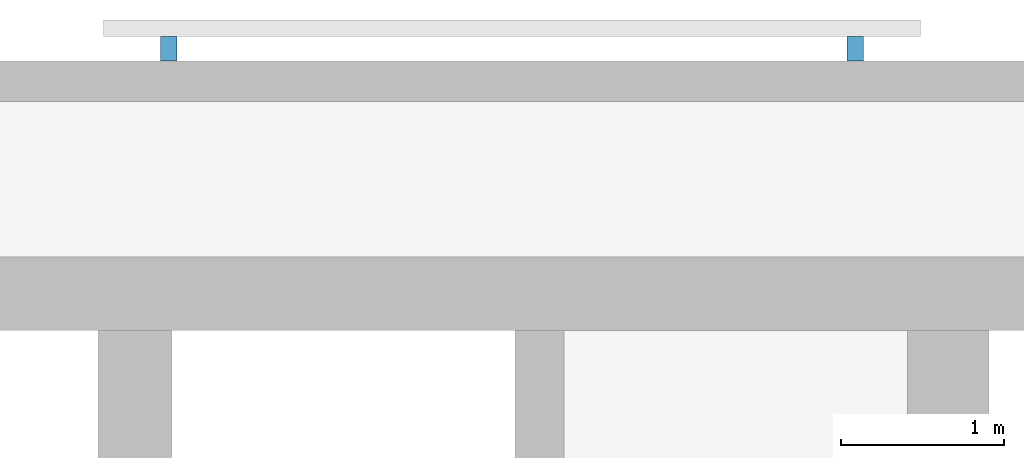
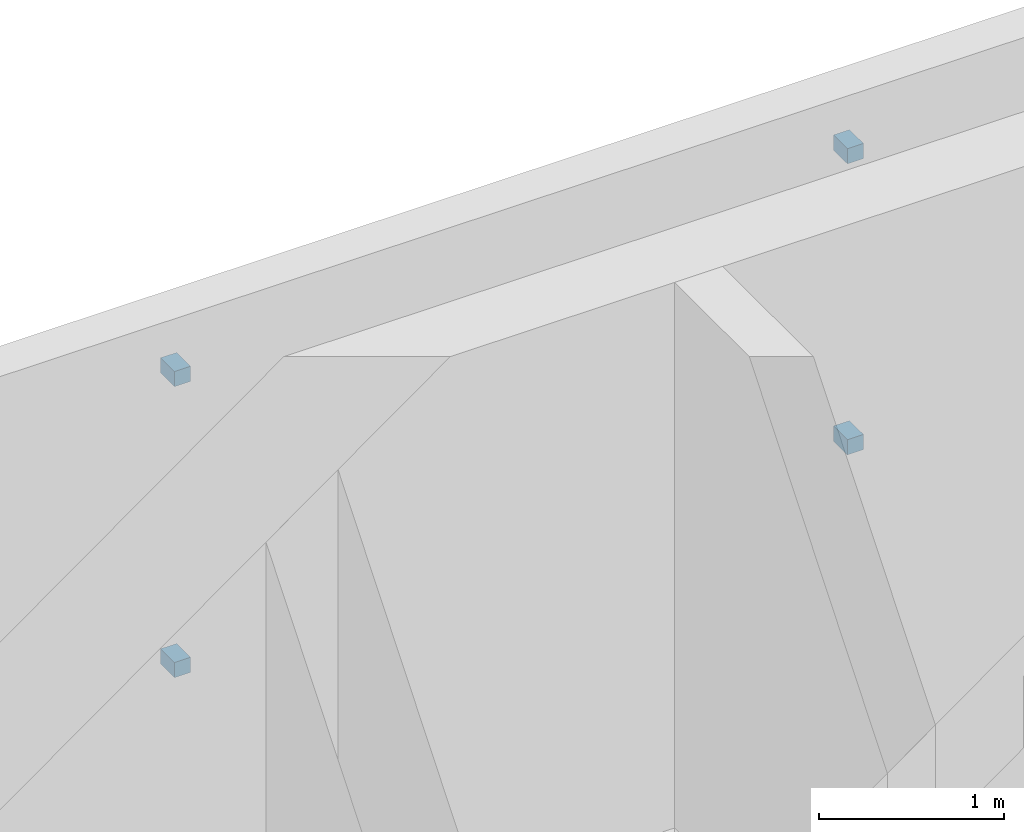
# One storey, part 10 of 13: 4 discrete accessories.
"""IFC4 building model written with IfcOpenShell, lengths in metres."""

from ifc_helpers import new_model, si_unit, direction, frame, origin, origin_2d, place, context, subcontext, project, spatial, rectangle, extrude, material, type_object, element, save


model = new_model("IFC4")

# Units and contexts
model_context = context("Model", 3, precision=1e-05, world=origin(), true_north=direction((0.0, 1.0)))
body_context = subcontext(model_context, "Body", "Model", "MODEL_VIEW")
ifc_project = project(units=[si_unit("LENGTHUNIT", "METRE"), si_unit("AREAUNIT", "SQUARE_METRE"), si_unit("VOLUMEUNIT", "CUBIC_METRE"), si_unit("PLANEANGLEUNIT", "RADIAN"), si_unit("MASSUNIT", "GRAM", prefix="KILO")], contexts=[model_context])

# Site, building, storey
site_placement = place(None, origin())
site = spatial("IfcSite", under=ifc_project, at=site_placement, CompositionType="ELEMENT")
building_placement = place(site_placement, origin())
building = spatial("IfcBuilding", under=site, at=building_placement, Name="Torana Hotel and Residences", CompositionType="ELEMENT")
storey_placement = place(building_placement, frame((0.0, 0.0, 56.39990234375)))
storey = spatial("IfcBuildingStorey", under=building, at=storey_placement, Name="L13", CompositionType="ELEMENT", Elevation=56.39990234375)

# Discrete accessories
ifc_material = material(Name="Steel S355", Category="steel")
discrete_accessory_type = type_object("IfcDiscreteAccessoryType", Name="SCREEN BRACKET 100", PredefinedType="BRACKET", material=ifc_material)
for number, where, z_axis, x_axis, name in (
    (1, (23.681396484375, 1.27490234375, 0.75), (0.0, 0.0, 1.0), (-1.0, 0.0, 0.0), "Screen bracket L13"),
    (2, (23.681396484375, 1.27490234375, 2.670166015625), (0.0, 0.0, 1.0), (-1.0, 0.0, 0.0), "Screen bracket L13"),
    (3, (19.4814453125, 1.27490234375, 0.75), (0.0, 0.0, 1.0), (-1.0, 0.0, 0.0), "Screen bracket L13"),
    (4, (19.4814453125, 1.27490234375, 2.670166015625), (0.0, 0.0, 1.0), (-1.0, 0.0, 0.0), "Screen bracket L13"),
):
    element("IfcDiscreteAccessory", number, at=place(storey_placement, frame(where, z_axis=z_axis, x_axis=x_axis)), inside=storey, type_object=discrete_accessory_type, Name=name, PredefinedType="BRACKET", context=body_context, shape_type="SweptSolid", body=[
        extrude(rectangle(XDim=0.10009765625, YDim=0.14990234375, at=origin_2d()), origin(), (0.0, 0.0, 1.0), 0.10009765625),
    ])

save(model, "model.ifc")
